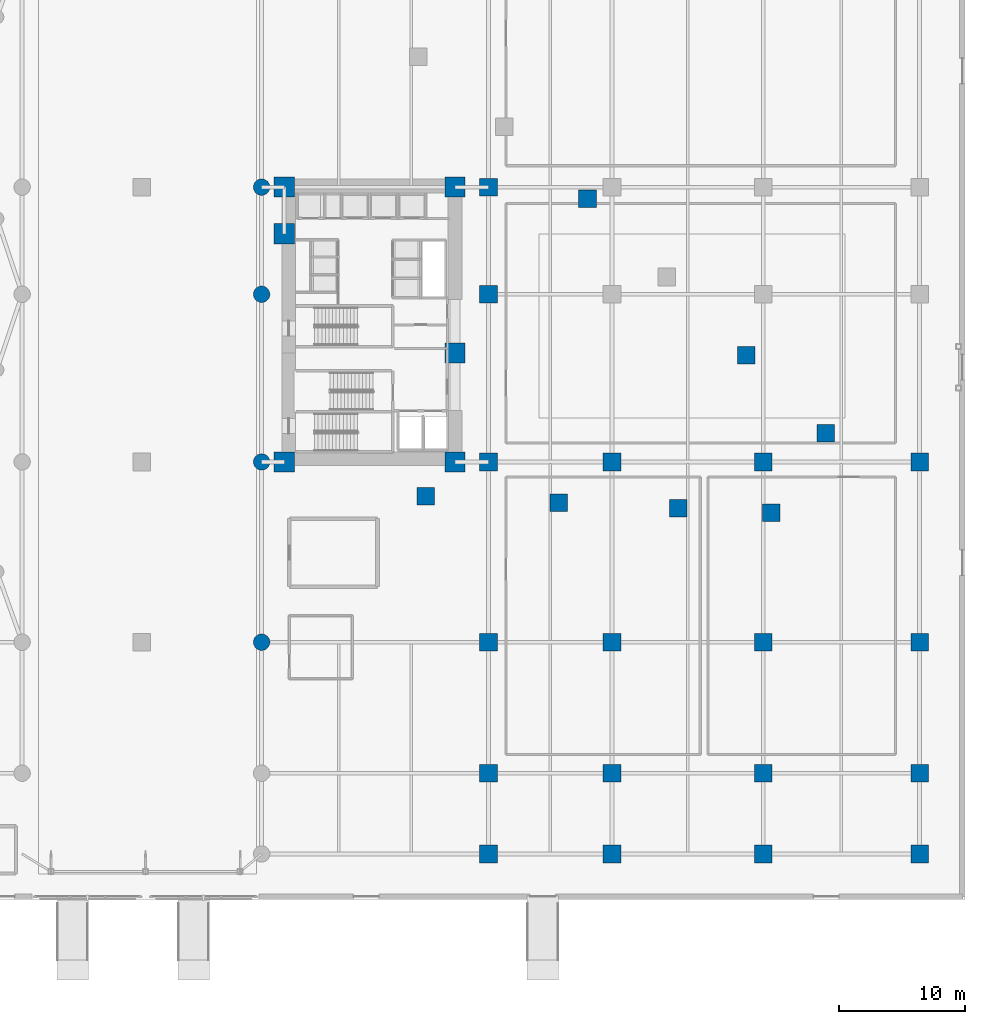
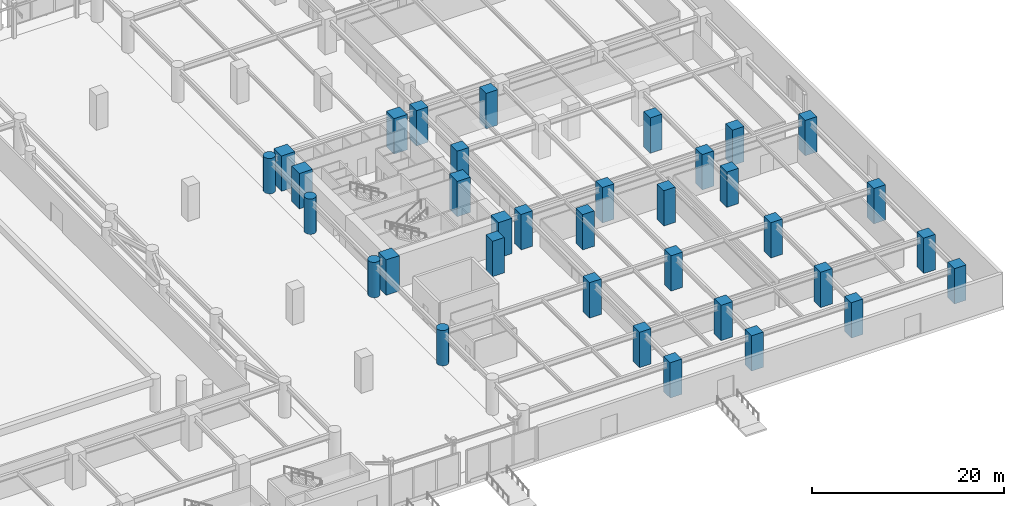
# One storey, part 5 of 42: 35 columns.
"""IFC4 building model written with IfcOpenShell, lengths in metres."""

from ifc_helpers import new_model, si_unit, direction, frame, origin, origin_2d, place, context, subcontext, project, spatial, rectangle, circle, extrude, material, material_profile, profile_set, type_object, element, save


model = new_model("IFC4")

# Units and contexts
model_context = context("Model", 3, precision=1e-05, world=origin(), true_north=direction((0.0, 1.0)))
body_context = subcontext(model_context, "Body", "Model", "MODEL_VIEW")
ifc_project = project(units=[si_unit("LENGTHUNIT", "METRE"), si_unit("AREAUNIT", "SQUARE_METRE"), si_unit("VOLUMEUNIT", "CUBIC_METRE"), si_unit("PLANEANGLEUNIT", "RADIAN"), si_unit("MASSUNIT", "GRAM", prefix="KILO")], contexts=[model_context])

# Site, building, storey
site_placement = place(None, origin())
site = spatial("IfcSite", under=ifc_project, at=site_placement, CompositionType="ELEMENT")
building_placement = place(site_placement, origin())
building = spatial("IfcBuilding", under=site, at=building_placement, Name="Narakoshi Arena Tower", CompositionType="ELEMENT")
storey_placement = place(building_placement, origin())
storey = spatial("IfcBuildingStorey", under=building, at=storey_placement, Name="L00", CompositionType="ELEMENT", Elevation=0.0)

# Columns
ifc_material = material(Name="Concrete C60/75", Category="concrete")
ifc_material_profile_1 = material_profile(ifc_material, circle(Radius=0.64990234375, at=origin_2d()), Name="RCC1300")
ifc_profile_set_1 = profile_set([ifc_material_profile_1], Name="Concrete C60/75")
column_type_1 = type_object("IfcColumnType", Name="COL-CIR1300", PredefinedType="PILASTER", material=ifc_profile_set_1)
for number, where, z_axis, x_axis, name in (
    (1, (70.199951171875, 20.39990234375, 0.0), (0.0, 0.0, 1.0), (1.0, 0.0, 0.0), "L00 Podium Column PC35"),
    (2, (70.199951171875, 34.699951171875, 0.0), (0.0, 0.0, 1.0), (1.0, 0.0, 0.0), "L00 Podium Column PC36"),
    (3, (70.199951171875, 48.0, 0.0), (0.0, 0.0, 1.0), (1.0, 0.0, 0.0), "L00 Podium Column PC37"),
    (4, (70.199951171875, 56.5, 0.0), (0.0, 0.0, 1.0), (1.0, 0.0, 0.0), "L00 Podium Column PC38"),
):
    element("IfcColumn", number, at=place(storey_placement, frame(where, z_axis=z_axis, x_axis=x_axis)), inside=storey, type_object=column_type_1, Name=name, PredefinedType="PILASTER", context=body_context, shape_type="SweptSolid", body=[
        extrude(circle(Radius=0.64990234375, at=origin_2d()), origin(), (0.0, 0.0, 1.0), 4.5),
    ])
ifc_material_profile_2 = material_profile(ifc_material, rectangle(XDim=1.39990234375, YDim=1.39990234375, at=origin_2d()), Name="RC1400x1400")
ifc_profile_set_2 = profile_set([ifc_material_profile_2], Name="Concrete C60/75")
column_type_2 = type_object("IfcColumnType", Name="COL-RC1400", PredefinedType="COLUMN", material=ifc_profile_set_2)
for number, where, z_axis, x_axis, name in (
    (5, (88.199951171875, 3.60009765625, 0.0), (0.0, 0.0, 1.0), (1.0, 0.0, 0.0), "L00 Podium Column PC42"),
    (6, (88.199951171875, 10.0, 0.0), (0.0, 0.0, 1.0), (1.0, 0.0, 0.0), "L00 Podium Column PC43"),
    (7, (88.199951171875, 20.39990234375, 0.0), (0.0, 0.0, 1.0), (1.0, 0.0, 0.0), "L00 Podium Column PC44"),
    (8, (88.199951171875, 34.699951171875, 0.0), (0.0, 0.0, 1.0), (1.0, 0.0, 0.0), "L00 Podium Column PC45"),
    (9, (88.199951171875, 48.0, 0.0), (0.0, 0.0, 1.0), (1.0, 0.0, 0.0), "L00 Podium Column PC46"),
    (10, (88.199951171875, 56.5, 0.0), (0.0, 0.0, 1.0), (1.0, 0.0, 0.0), "L00 Podium Column PC47"),
    (11, (98.0, 3.60009765625, 0.0), (0.0, 0.0, 1.0), (1.0, 0.0, 0.0), "L00 Podium Column PC51"),
    (12, (98.0, 10.0, 0.0), (0.0, 0.0, 1.0), (1.0, 0.0, 0.0), "L00 Podium Column PC52"),
    (13, (98.0, 20.39990234375, 0.0), (0.0, 0.0, 1.0), (1.0, 0.0, 0.0), "L00 Podium Column PC53"),
    (14, (98.0, 34.699951171875, 0.0), (0.0, 0.0, 1.0), (1.0, 0.0, 0.0), "L00 Podium Column PC54"),
    (15, (110.0, 3.60009765625, 0.0), (0.0, 0.0, 1.0), (1.0, 0.0, 0.0), "L00 Podium Column PC60"),
    (16, (110.0, 10.0, 0.0), (0.0, 0.0, 1.0), (1.0, 0.0, 0.0), "L00 Podium Column PC61"),
    (17, (110.0, 20.39990234375, 0.0), (0.0, 0.0, 1.0), (1.0, 0.0, 0.0), "L00 Podium Column PC62"),
    (18, (110.0, 34.699951171875, 0.0), (0.0, 0.0, 1.0), (1.0, 0.0, 0.0), "L00 Podium Column PC63"),
    (19, (122.39990234375, 3.60009765625, 0.0), (0.0, 0.0, 1.0), (1.0, 0.0, 0.0), "L00 Podium Column PC69"),
    (20, (122.39990234375, 10.0, 0.0), (0.0, 0.0, 1.0), (1.0, 0.0, 0.0), "L00 Podium Column PC70"),
    (21, (122.39990234375, 20.39990234375, 0.0), (0.0, 0.0, 1.0), (1.0, 0.0, 0.0), "L00 Podium Column PC71"),
    (22, (122.39990234375, 34.699951171875, 0.0), (0.0, 0.0, 1.0), (1.0, 0.0, 0.0), "L00 Podium Column PC72"),
    (23, (83.2119140625, 31.979248046875, 0.0), (0.0, 0.0, 1.0), (1.0, 0.0, 0.0), "L00 Tower Plumb Pier B1P01"),
    (24, (93.760009765625, 31.472412109375, 0.0), (0.0, 0.0, 1.0), (1.0, 0.0, 0.0), "L00 Tower Plumb Pier B1P02"),
    (25, (103.2529296875, 31.0166015625, 0.0), (0.0, 0.0, 1.0), (1.0, 0.0, 0.0), "L00 Tower Plumb Pier B1P03"),
    (26, (110.636474609375, 30.661865234375, 0.0), (0.0, 0.0, 1.0), (1.0, 0.0, 0.0), "L00 Tower Plumb Pier B1P04"),
    (27, (114.942138671875, 36.969970703125, 0.0), (0.0, 0.0, 1.0), (1.0, 0.0, 0.0), "L00 Tower Plumb Pier B1P05"),
    (28, (108.643798828125, 43.171875, 0.0), (0.0, 0.0, 1.0), (1.0, 0.0, 0.0), "L00 Tower Plumb Pier B1P06"),
    (29, (96.047119140625, 55.57568359375, 0.0), (0.0, 0.0, 1.0), (1.0, 0.0, 0.0), "L00 Tower Plumb Pier B1P08"),
):
    element("IfcColumn", number, at=place(storey_placement, frame(where, z_axis=z_axis, x_axis=x_axis)), inside=storey, type_object=column_type_2, Name=name, PredefinedType="COLUMN", context=body_context, shape_type="SweptSolid", body=[
        extrude(rectangle(XDim=1.39990234375, YDim=1.39990234375, at=origin_2d()), origin(), (0.0, 0.0, 1.0), 4.5),
    ])
ifc_material_profile_3 = material_profile(ifc_material, rectangle(XDim=1.60009765625, YDim=1.60009765625, at=origin_2d()), Name="RC1600x1600")
ifc_profile_set_3 = profile_set([ifc_material_profile_3], Name="Concrete C60/75")
column_type_3 = type_object("IfcColumnType", Name="COL-RC1600", PredefinedType="COLUMN", material=ifc_profile_set_3)
for number, where, z_axis, x_axis, name in (
    (30, (72.0, 34.699951171875, 0.0), (0.0, 0.0, 1.0), (1.0, 0.0, 0.0), "L00 Podium Column CC1"),
    (31, (85.550048828125, 34.699951171875, 0.0), (0.0, 0.0, 1.0), (1.0, 0.0, 0.0), "L00 Podium Column CC2"),
    (32, (85.550048828125, 43.35009765625, 0.0), (0.0, 0.0, 1.0), (1.0, 0.0, 0.0), "L00 Podium Column CC3"),
    (33, (72.0, 52.800048828125, 0.0), (0.0, 0.0, 1.0), (1.0, 0.0, 0.0), "L00 Podium Column CC4"),
    (34, (72.0, 56.5, 0.0), (0.0, 0.0, 1.0), (1.0, 0.0, 0.0), "L00 Podium Column CC5"),
    (35, (85.550048828125, 56.5, 0.0), (0.0, 0.0, 1.0), (1.0, 0.0, 0.0), "L00 Podium Column CC6"),
):
    element("IfcColumn", number, at=place(storey_placement, frame(where, z_axis=z_axis, x_axis=x_axis)), inside=storey, type_object=column_type_3, Name=name, PredefinedType="COLUMN", context=body_context, shape_type="SweptSolid", body=[
        extrude(rectangle(XDim=1.60009765625, YDim=1.60009765625, at=origin_2d()), origin(), (0.0, 0.0, 1.0), 4.5),
    ])

save(model, "model.ifc")
